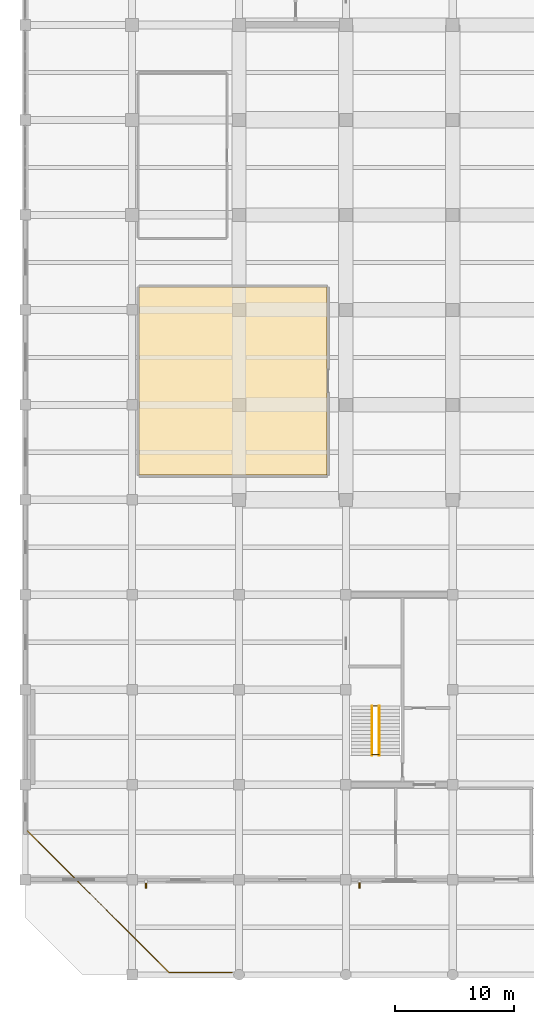
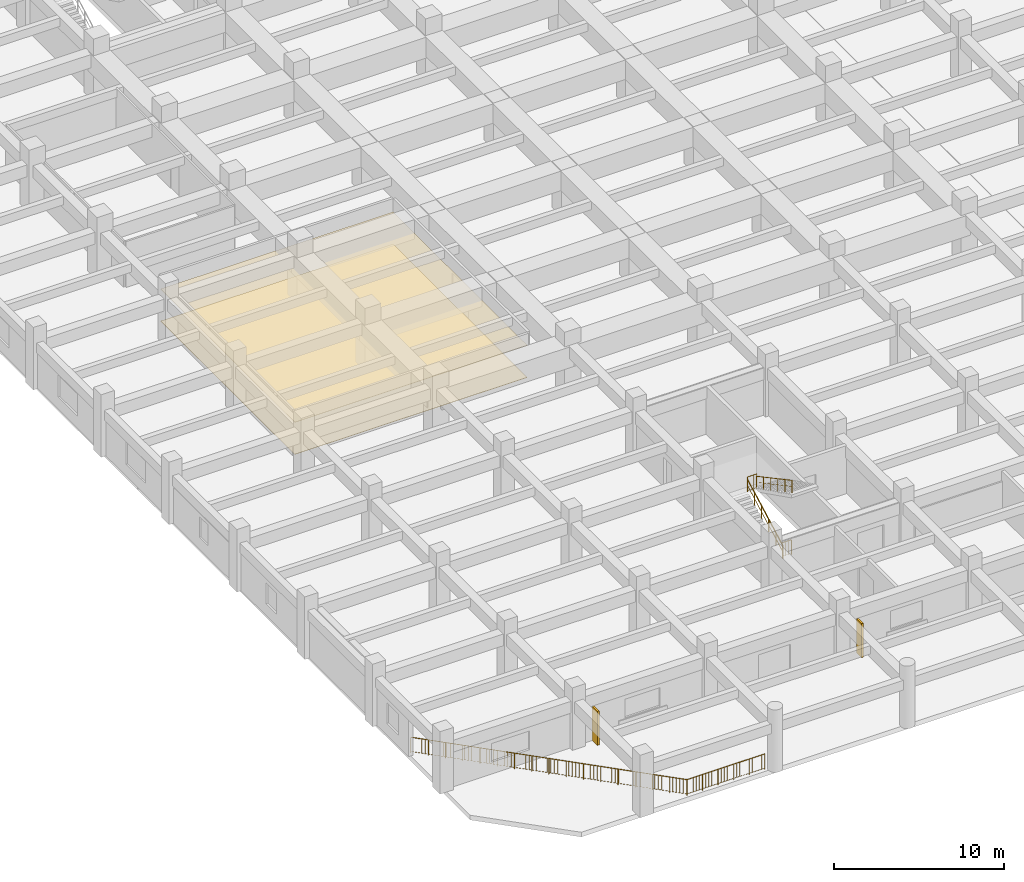
# One storey, part 34 of 40: 5 railings, 2 coverings, 2 shading devices.
"""IFC4 building model written with IfcOpenShell, lengths in metres."""

import ifcopenshell
import ifcopenshell.guid

model = None  # the IFC model being written
_history = None  # IfcOwnerHistory: only IFC2X3 demands one
_inside = {}  # id of a spatial element -> (the spatial element, [elements in it])
_under = {}  # id of a project, library or spatial element -> (it, [spatial elements below it])
_declared = {}  # id of a project -> (the project, [libraries it declares])
_typed = {}  # id of a type object -> (the type object, [elements of that type])
_made_of = {}  # id of a material, layer set ... -> (it, [elements and type objects made of it])


def new_model(schema):
    """Start an empty IFC model of exactly this schema.

    Asked for "IFC4X3", IfcOpenShell would pick the latest addendum, in which some entities
    have other attributes; the version numbers below select the first issue.
    IFC2X3 requires an IfcOwnerHistory on every rooted entity: one is made here for all.
    """
    global model, _history
    if schema == "IFC4X3":
        model = ifcopenshell.file(schema_version=(4, 3, 0, 0))
    else:
        model = ifcopenshell.file(schema=schema)
    _inside.clear()
    _under.clear()
    _declared.clear()
    _typed.clear()
    _made_of.clear()
    _history = None
    if model.schema == "IFC2X3":
        org = make("IfcOrganization", Name="unknown")
        user = make(
            "IfcPersonAndOrganization",
            ThePerson=make("IfcPerson", FamilyName="unknown"),
            TheOrganization=org,
        )
        app = make(
            "IfcApplication",
            ApplicationDeveloper=org,
            Version="unknown",
            ApplicationFullName="unknown",
            ApplicationIdentifier="unknown",
        )
        _history = make(
            "IfcOwnerHistory",
            OwningUser=user,
            OwningApplication=app,
            ChangeAction="ADDED",
            CreationDate=0,
        )
    return model


def make(cls, **values):
    """One entity of the class cls with the attributes given. An attribute that is None is left unset."""
    return model.create_entity(
        cls, **{name: value for name, value in values.items() if value is not None}
    )


def rooted(cls, **values):
    """An entity with a GlobalId (a new one), such as an element, a storey or a relation."""
    return make(cls, GlobalId=ifcopenshell.guid.new(), OwnerHistory=_history, **values)


def si_unit(unit_type, name, prefix=None):
    """IfcSIUnit, for example si_unit("LENGTHUNIT", "METRE", prefix="MILLI")."""
    return make("IfcSIUnit", UnitType=unit_type, Prefix=prefix, Name=name)


def assignment(units):
    """IfcUnitAssignment: the units of a project."""
    return None if units is None else make("IfcUnitAssignment", Units=units)


def point(xyz):
    """IfcCartesianPoint."""
    return None if xyz is None else make("IfcCartesianPoint", Coordinates=xyz)


def direction(xyz):
    """IfcDirection."""
    return None if xyz is None else make("IfcDirection", DirectionRatios=xyz)


def frame(location, z_axis=None, x_axis=None):
    """IfcAxis2Placement3D, a coordinate frame: its origin and axes. An axis left out is left unset."""
    return make(
        "IfcAxis2Placement3D",
        Location=point(location),
        Axis=direction(z_axis),
        RefDirection=direction(x_axis),
    )


def frame_2d(location, x_axis=None):
    """IfcAxis2Placement2D, a coordinate frame in the plane: its origin and x axis."""
    return make(
        "IfcAxis2Placement2D", Location=point(location), RefDirection=direction(x_axis)
    )


def origin():
    """The frame at (0, 0, 0) with its axes left unset."""
    return frame((0.0, 0.0, 0.0))


def origin_2d():
    """The frame at (0, 0) in the plane with its x axis left unset."""
    return frame_2d((0.0, 0.0))


def place(relative_to, where):
    """IfcLocalPlacement: puts the frame where relative to a parent placement (None: the world)."""
    return make(
        "IfcLocalPlacement", PlacementRelTo=relative_to, RelativePlacement=where
    )


def context(
    kind, dimensions, precision=None, world=None, true_north=None, identifier=None
):
    """IfcGeometricRepresentationContext, for example the 3D "Model" context."""
    return make(
        "IfcGeometricRepresentationContext",
        ContextIdentifier=identifier,
        ContextType=kind,
        CoordinateSpaceDimension=dimensions,
        Precision=precision,
        WorldCoordinateSystem=world,
        TrueNorth=true_north,
    )


def subcontext(parent, identifier, kind, view, scale=None):
    """IfcGeometricRepresentationSubContext, for example "Body" below "Model"."""
    return make(
        "IfcGeometricRepresentationSubContext",
        ContextIdentifier=identifier,
        ContextType=kind,
        ParentContext=parent,
        TargetScale=scale,
        TargetView=view,
    )


def project(units=None, contexts=None):
    """IfcProject with its units and contexts."""
    return rooted(
        "IfcProject",
        Name="project",
        RepresentationContexts=contexts,
        UnitsInContext=assignment(units),
    )


def spatial(cls, under=None, at=None, **own):
    """A site, building, storey or space (cls), placed at a placement, below another one or the project."""
    s = rooted(cls, ObjectPlacement=at, **own)
    if under is not None:
        _under.setdefault(under.id(), (under, []))[1].append(s)
    return s


def polyline(points):
    """IfcPolyline through the points."""
    return make("IfcPolyline", Points=[point(p) for p in points])


def profile(cls, at=None, kind="AREA", **sizes):
    """A parametric profile (cls). Its sizes go by their IFC names, for example OverallWidth=200.0."""
    return make(cls, ProfileType=kind, Position=at, **sizes)


def rectangle(**sizes):
    """IfcRectangleProfileDef."""
    return profile("IfcRectangleProfileDef", **sizes)


def circle(**sizes):
    """IfcCircleProfileDef."""
    return profile("IfcCircleProfileDef", **sizes)


def outline(outer, holes=None, kind="AREA"):
    """IfcArbitraryClosedProfileDef: a profile drawn as a closed curve; with holes, ...WithVoids."""
    if holes is None:
        return make("IfcArbitraryClosedProfileDef", ProfileType=kind, OuterCurve=outer)
    return make(
        "IfcArbitraryProfileDefWithVoids",
        ProfileType=kind,
        OuterCurve=outer,
        InnerCurves=holes,
    )


def extrude(swept, where, along, depth):
    """IfcExtrudedAreaSolid: the profile swept, set in the frame where, extruded along a direction by depth."""
    return make(
        "IfcExtrudedAreaSolid",
        SweptArea=swept,
        Position=where,
        ExtrudedDirection=direction(along),
        Depth=depth,
    )


def shape(context_of_items, identifier, shape_type, items):
    """IfcShapeRepresentation: the items that make up one representation, for example the "Body"."""
    return make(
        "IfcShapeRepresentation",
        ContextOfItems=context_of_items,
        RepresentationIdentifier=identifier,
        RepresentationType=shape_type,
        Items=items,
    )


def material(Name=None, Category=None):
    """IfcMaterial."""
    return make("IfcMaterial", Name=Name, Category=Category)


def layer(
    of_material, thickness, ventilated=None, Name=None, Category=None, Priority=None
):
    """IfcMaterialLayer: one layer of a wall or slab, of a material (None: an air gap)."""
    return make(
        "IfcMaterialLayer",
        Material=of_material,
        LayerThickness=thickness,
        IsVentilated=ventilated,
        Name=Name,
        Category=Category,
        Priority=Priority,
    )


def layer_set(layers, Name=None):
    """IfcMaterialLayerSet."""
    return make("IfcMaterialLayerSet", MaterialLayers=layers, LayerSetName=Name)


def made_of(thing, what):
    """Note that an element or type object is made of a material, layer set ...; save() writes the relation."""
    if what is not None:
        _made_of.setdefault(what.id(), (what, []))[1].append(thing)
    return thing


def type_object(cls, material=None, **own):
    """A type object (cls), such as IfcWallType, which elements share."""
    return made_of(rooted(cls, **own), material)


def element(
    cls,
    number,
    at=None,
    inside=None,
    cuts=None,
    type_object=None,
    material=None,
    context=None,
    identifier="Body",
    shape_type=None,
    held_by="IfcProductDefinitionShape",
    body=None,
    shapes=None,
    **own,
):
    """One element of the class cls, such as IfcWall. Its Tag is "e" and its number.

    at: its placement. inside: the storey or other place that contains it. cuts: it is an
    opening in that element (IfcRelVoidsElement). A single representation is given by context,
    identifier, shape_type and body (its items); several are given by shapes. held_by: the class
    of the entity that holds the representations. save() writes the other relations.
    """
    e = rooted(cls, Tag="e%d" % number, ObjectPlacement=at, **own)
    if body is not None:
        shapes = [shape(context, identifier, shape_type, body)]
    if shapes is not None:
        e.Representation = make(held_by, Representations=shapes)
    if inside is not None:
        _inside.setdefault(inside.id(), (inside, []))[1].append(e)
    if cuts is not None:
        rooted(
            "IfcRelVoidsElement", RelatingBuildingElement=cuts, RelatedOpeningElement=e
        )
    if type_object is not None:
        _typed.setdefault(type_object.id(), (type_object, []))[1].append(e)
    return made_of(e, material)


def aggregate(whole, parts):
    """IfcRelAggregates: a whole, such as a stair, and the parts it consists of."""
    return rooted("IfcRelAggregates", RelatingObject=whole, RelatedObjects=parts)


def save(model, path):
    """Write the relations noted so far, then the file.

    IfcRelAggregates (storeys below a building ...), IfcRelContainedInSpatialStructure (elements
    in a storey), IfcRelDefinesByType, IfcRelAssociatesMaterial and IfcRelDeclares: one each for
    every whole, place, type object, material and project.
    """
    for whole, parts in _under.values():
        aggregate(whole, parts)
    for where, things in _inside.values():
        rooted(
            "IfcRelContainedInSpatialStructure",
            RelatedElements=things,
            RelatingStructure=where,
        )
    for kind, things in _typed.values():
        rooted("IfcRelDefinesByType", RelatedObjects=things, RelatingType=kind)
    for what, things in _made_of.values():
        rooted("IfcRelAssociatesMaterial", RelatedObjects=things, RelatingMaterial=what)
    for by, libraries in _declared.values():
        rooted("IfcRelDeclares", RelatingContext=by, RelatedDefinitions=libraries)
    model.write(path)


model = new_model("IFC4")

# Units and contexts
model_context = context("Model", 3, precision=1e-05, world=origin(), true_north=direction((0.0, 1.0)))
body_context = subcontext(model_context, "Body", "Model", "MODEL_VIEW")
ifc_project = project(units=[si_unit("LENGTHUNIT", "METRE"), si_unit("AREAUNIT", "SQUARE_METRE"), si_unit("VOLUMEUNIT", "CUBIC_METRE"), si_unit("PLANEANGLEUNIT", "RADIAN"), si_unit("MASSUNIT", "GRAM", prefix="KILO")], contexts=[model_context])

# Site, building, storey
site_placement = place(None, origin())
site = spatial("IfcSite", under=ifc_project, at=site_placement, CompositionType="ELEMENT")
building_placement = place(site_placement, origin())
building = spatial("IfcBuilding", under=site, at=building_placement, Name="Zaverband Oceanarium and Marine Research Institute", CompositionType="ELEMENT")
storey_placement = place(building_placement, origin())
storey = spatial("IfcBuildingStorey", under=building, at=storey_placement, Name="L00", CompositionType="ELEMENT", Elevation=0.0)

# Coverings
ifc_material_1 = material(Name="Perforated mineral-fibre acoustic ceiling tile")
ifc_layer_1 = layer(ifc_material_1, 0.02490234375, Name="Perforated mineral-fibre acoustic ceiling tile")
ifc_layer_set_1 = layer_set([ifc_layer_1], Name="Perforated mineral-fibre acoustic ceiling tile")
covering_type_1 = type_object("IfcCoveringType", Name="CLG-AC-15", PredefinedType="CEILING", material=ifc_layer_set_1)
covering_1_placement = place(storey_placement, frame((0.0, 0.0, 2.31005859375)))
element("IfcCovering", 1, at=covering_1_placement, inside=storey, type_object=covering_type_1, Name="Suspended acoustic ceiling CLG-AC-15", PredefinedType="CEILING", context=body_context, shape_type="SweptSolid", body=[
    extrude(outline(polyline([(9.58251953125, 42.08251953125), (25.41748046875, 42.08251953125), (25.41748046875, 57.91748046875), (9.58251953125, 57.91748046875), (9.58251953125, 42.08251953125)])), origin(), (0.0, 0.0, 1.0), 0.02490234375),
])
ifc_material_2 = material(Name="Polished marine terrazzo and seamless laboratory epoxy flooring")
ifc_layer_2 = layer(ifc_material_2, 0.02490234375, Name="Polished marine terrazzo and seamless laboratory epoxy flooring")
ifc_layer_set_2 = layer_set([ifc_layer_2], Name="Polished marine terrazzo and seamless laboratory epoxy flooring")
covering_type_2 = type_object("IfcCoveringType", Name="FLR-TRZ-20", PredefinedType="FLOORING", material=ifc_layer_set_2)
covering_2_placement = place(storey_placement, origin())
element("IfcCovering", 2, at=covering_2_placement, inside=storey, type_object=covering_type_2, Name="Terrazzo and marine epoxy floor finish FLR-TRZ-20", PredefinedType="FLOORING", context=body_context, shape_type="SweptSolid", body=[
    extrude(outline(polyline([(9.58251953125, 42.08251953125), (25.41748046875, 42.08251953125), (25.41748046875, 57.91748046875), (9.58251953125, 57.91748046875), (9.58251953125, 42.08251953125)])), origin(), (0.0, 0.0, 1.0), 0.02490234375),
])

# Railings
ifc_material_3 = material(Name="Steel S355", Category="steel")
ifc_layer_3 = layer(ifc_material_3, 0.06005859375, Name="Steel S355")
ifc_layer_set_3 = layer_set([ifc_layer_3], Name="Steel S355")
railing_type_1 = type_object("IfcRailingType", Name="GRD-1100", PredefinedType="BALUSTRADE", material=ifc_layer_set_3)
for number, where, name in (
    (3, (29.18994140625, 22.6298828125, 2.25), "1100 mm steel post-and-baluster safety guard GRD-1100"),
    (4, (29.18994140625, 18.530029296875, 0.0), "1100 mm steel post-and-baluster safety guard GRD-1100"),
):
    element("IfcRailing", number, at=place(storey_placement, frame(where)), inside=storey, type_object=railing_type_1, Name=name, PredefinedType="BALUSTRADE", context=body_context, shape_type="SweptSolid", body=[
        extrude(circle(Radius=0.02392578125, at=origin_2d()), frame((0.0, 0.0, 1.076171875), z_axis=(1.0, 0.0, 0.0), x_axis=(0.0, 1.0, 0.0)), (0.0, 0.0, 1.0), 0.6201171875),
        extrude(circle(Radius=0.009033203125, at=origin_2d()), frame((0.0, 0.0, 0.10009765625), z_axis=(1.0, 0.0, 0.0), x_axis=(0.0, 1.0, 0.0)), (0.0, 0.0, 1.0), 0.6201171875),
        extrude(circle(Radius=0.009033203125, at=origin_2d()), frame((0.206787109375, 0.0, 0.10009765625)), (0.0, 0.0, 1.0), 0.951904296875),
        extrude(circle(Radius=0.009033203125, at=origin_2d()), frame((0.413330078125, 0.0, 0.10009765625)), (0.0, 0.0, 1.0), 0.951904296875),
        extrude(circle(Radius=0.02099609375, at=origin_2d()), origin(), (0.0, 0.0, 1.0), 1.052001953125),
        extrude(circle(Radius=0.02099609375, at=origin_2d()), frame((0.6201171875, 0.0, 0.0)), (0.0, 0.0, 1.0), 1.052001953125),
    ])
ifc_layer_4 = layer(ifc_material_3, 0.06005859375, Name="Steel S355")
ifc_layer_set_4 = layer_set([ifc_layer_4], Name="Steel S355")
railing_type_2 = type_object("IfcRailingType", Name="GRD-EXT-1150", PredefinedType="BALUSTRADE", material=ifc_layer_set_4)
railing_1_placement = place(storey_placement, frame((0.179931640625, 12.10009765625, 0.0)))
element("IfcRailing", 5, at=railing_1_placement, inside=storey, type_object=railing_type_2, Name="1150 mm marine-grade stainless steel terrace guard GRD-EXT-1150", PredefinedType="BALUSTRADE", context=body_context, shape_type="SweptSolid", body=[
    extrude(circle(Radius=0.02392578125, at=origin_2d()), frame((0.0, 0.0, 1.1259765625), z_axis=(0.707106781187, -0.707106781187, 0.0), x_axis=(0.707106781187, 0.707106781187, 0.0)), (0.0, 0.0, 1.0), 16.857666015625),
    extrude(circle(Radius=0.009033203125, at=origin_2d()), frame((0.0, 0.0, 0.10009765625), z_axis=(0.707106781187, -0.707106781187, 0.0), x_axis=(0.707106781187, 0.707106781187, 0.0)), (0.0, 0.0, 1.0), 16.857666015625),
    extrude(circle(Radius=0.009033203125, at=origin_2d()), frame((0.15478515625, -0.15478515625, 0.10009765625)), (0.0, 0.0, 1.0), 1.001708984375),
    extrude(circle(Radius=0.009033203125, at=origin_2d()), frame((0.3095703125, -0.3095703125, 0.10009765625)), (0.0, 0.0, 1.0), 1.001708984375),
    extrude(circle(Radius=0.009033203125, at=origin_2d()), frame((0.46435546875, -0.46435546875, 0.10009765625)), (0.0, 0.0, 1.0), 1.001708984375),
    extrude(circle(Radius=0.009033203125, at=origin_2d()), frame((0.619140625, -0.619140625, 0.10009765625)), (0.0, 0.0, 1.0), 1.001708984375),
    extrude(circle(Radius=0.009033203125, at=origin_2d()), frame((0.77392578125, -0.77392578125, 0.10009765625)), (0.0, 0.0, 1.0), 1.001708984375),
    extrude(circle(Radius=0.009033203125, at=origin_2d()), frame((0.928955078125, -0.928955078125, 0.10009765625)), (0.0, 0.0, 1.0), 1.001708984375),
    extrude(circle(Radius=0.009033203125, at=origin_2d()), frame((1.083740234375, -1.083740234375, 0.10009765625)), (0.0, 0.0, 1.0), 1.001708984375),
    extrude(circle(Radius=0.009033203125, at=origin_2d()), frame((1.238525390625, -1.238525390625, 0.10009765625)), (0.0, 0.0, 1.0), 1.001708984375),
    extrude(circle(Radius=0.009033203125, at=origin_2d()), frame((1.393310546875, -1.393310546875, 0.10009765625)), (0.0, 0.0, 1.0), 1.001708984375),
    extrude(circle(Radius=0.009033203125, at=origin_2d()), frame((1.548095703125, -1.548095703125, 0.10009765625)), (0.0, 0.0, 1.0), 1.001708984375),
    extrude(circle(Radius=0.009033203125, at=origin_2d()), frame((1.702880859375, -1.702880859375, 0.10009765625)), (0.0, 0.0, 1.0), 1.001708984375),
    extrude(circle(Radius=0.009033203125, at=origin_2d()), frame((1.857666015625, -1.857666015625, 0.10009765625)), (0.0, 0.0, 1.0), 1.001708984375),
    extrude(circle(Radius=0.009033203125, at=origin_2d()), frame((2.012451171875, -2.012451171875, 0.10009765625)), (0.0, 0.0, 1.0), 1.001708984375),
    extrude(circle(Radius=0.009033203125, at=origin_2d()), frame((2.167236328125, -2.167236328125, 0.10009765625)), (0.0, 0.0, 1.0), 1.001708984375),
    extrude(circle(Radius=0.009033203125, at=origin_2d()), frame((2.322021484375, -2.322021484375, 0.10009765625)), (0.0, 0.0, 1.0), 1.001708984375),
    extrude(circle(Radius=0.009033203125, at=origin_2d()), frame((2.476806640625, -2.476806640625, 0.10009765625)), (0.0, 0.0, 1.0), 1.001708984375),
    extrude(circle(Radius=0.009033203125, at=origin_2d()), frame((2.6318359375, -2.6318359375, 0.10009765625)), (0.0, 0.0, 1.0), 1.001708984375),
    extrude(circle(Radius=0.009033203125, at=origin_2d()), frame((2.78662109375, -2.78662109375, 0.10009765625)), (0.0, 0.0, 1.0), 1.001708984375),
    extrude(circle(Radius=0.009033203125, at=origin_2d()), frame((2.94140625, -2.94140625, 0.10009765625)), (0.0, 0.0, 1.0), 1.001708984375),
    extrude(circle(Radius=0.009033203125, at=origin_2d()), frame((3.09619140625, -3.09619140625, 0.10009765625)), (0.0, 0.0, 1.0), 1.001708984375),
    extrude(circle(Radius=0.009033203125, at=origin_2d()), frame((3.2509765625, -3.2509765625, 0.10009765625)), (0.0, 0.0, 1.0), 1.001708984375),
    extrude(circle(Radius=0.009033203125, at=origin_2d()), frame((3.40576171875, -3.40576171875, 0.10009765625)), (0.0, 0.0, 1.0), 1.001708984375),
    extrude(circle(Radius=0.009033203125, at=origin_2d()), frame((3.560546875, -3.560546875, 0.10009765625)), (0.0, 0.0, 1.0), 1.001708984375),
    extrude(circle(Radius=0.009033203125, at=origin_2d()), frame((3.71533203125, -3.71533203125, 0.10009765625)), (0.0, 0.0, 1.0), 1.001708984375),
    extrude(circle(Radius=0.009033203125, at=origin_2d()), frame((3.8701171875, -3.8701171875, 0.10009765625)), (0.0, 0.0, 1.0), 1.001708984375),
    extrude(circle(Radius=0.009033203125, at=origin_2d()), frame((4.02490234375, -4.02490234375, 0.10009765625)), (0.0, 0.0, 1.0), 1.001708984375),
    extrude(circle(Radius=0.009033203125, at=origin_2d()), frame((4.1796875, -4.1796875, 0.10009765625)), (0.0, 0.0, 1.0), 1.001708984375),
    extrude(circle(Radius=0.009033203125, at=origin_2d()), frame((4.334716796875, -4.334716796875, 0.10009765625)), (0.0, 0.0, 1.0), 1.001708984375),
    extrude(circle(Radius=0.009033203125, at=origin_2d()), frame((4.489501953125, -4.489501953125, 0.10009765625)), (0.0, 0.0, 1.0), 1.001708984375),
    extrude(circle(Radius=0.009033203125, at=origin_2d()), frame((4.644287109375, -4.644287109375, 0.10009765625)), (0.0, 0.0, 1.0), 1.001708984375),
    extrude(circle(Radius=0.009033203125, at=origin_2d()), frame((4.799072265625, -4.799072265625, 0.10009765625)), (0.0, 0.0, 1.0), 1.001708984375),
    extrude(circle(Radius=0.009033203125, at=origin_2d()), frame((4.953857421875, -4.953857421875, 0.10009765625)), (0.0, 0.0, 1.0), 1.001708984375),
    extrude(circle(Radius=0.009033203125, at=origin_2d()), frame((5.108642578125, -5.108642578125, 0.10009765625)), (0.0, 0.0, 1.0), 1.001708984375),
    extrude(circle(Radius=0.009033203125, at=origin_2d()), frame((5.263427734375, -5.263427734375, 0.10009765625)), (0.0, 0.0, 1.0), 1.001708984375),
    extrude(circle(Radius=0.009033203125, at=origin_2d()), frame((5.418212890625, -5.418212890625, 0.10009765625)), (0.0, 0.0, 1.0), 1.001708984375),
    extrude(circle(Radius=0.009033203125, at=origin_2d()), frame((5.572998046875, -5.572998046875, 0.10009765625)), (0.0, 0.0, 1.0), 1.001708984375),
    extrude(circle(Radius=0.009033203125, at=origin_2d()), frame((5.727783203125, -5.727783203125, 0.10009765625)), (0.0, 0.0, 1.0), 1.001708984375),
    extrude(circle(Radius=0.009033203125, at=origin_2d()), frame((5.882568359375, -5.882568359375, 0.10009765625)), (0.0, 0.0, 1.0), 1.001708984375),
    extrude(circle(Radius=0.009033203125, at=origin_2d()), frame((6.03759765625, -6.03759765625, 0.10009765625)), (0.0, 0.0, 1.0), 1.001708984375),
    extrude(circle(Radius=0.009033203125, at=origin_2d()), frame((6.1923828125, -6.1923828125, 0.10009765625)), (0.0, 0.0, 1.0), 1.001708984375),
    extrude(circle(Radius=0.009033203125, at=origin_2d()), frame((6.34716796875, -6.34716796875, 0.10009765625)), (0.0, 0.0, 1.0), 1.001708984375),
    extrude(circle(Radius=0.009033203125, at=origin_2d()), frame((6.501953125, -6.501953125, 0.10009765625)), (0.0, 0.0, 1.0), 1.001708984375),
    extrude(circle(Radius=0.009033203125, at=origin_2d()), frame((6.65673828125, -6.65673828125, 0.10009765625)), (0.0, 0.0, 1.0), 1.001708984375),
    extrude(circle(Radius=0.009033203125, at=origin_2d()), frame((6.8115234375, -6.8115234375, 0.10009765625)), (0.0, 0.0, 1.0), 1.001708984375),
    extrude(circle(Radius=0.009033203125, at=origin_2d()), frame((6.96630859375, -6.96630859375, 0.10009765625)), (0.0, 0.0, 1.0), 1.001708984375),
    extrude(circle(Radius=0.009033203125, at=origin_2d()), frame((7.12109375, -7.12109375, 0.10009765625)), (0.0, 0.0, 1.0), 1.001708984375),
    extrude(circle(Radius=0.009033203125, at=origin_2d()), frame((7.27587890625, -7.27587890625, 0.10009765625)), (0.0, 0.0, 1.0), 1.001708984375),
    extrude(circle(Radius=0.009033203125, at=origin_2d()), frame((7.4306640625, -7.4306640625, 0.10009765625)), (0.0, 0.0, 1.0), 1.001708984375),
    extrude(circle(Radius=0.009033203125, at=origin_2d()), frame((7.58544921875, -7.58544921875, 0.10009765625)), (0.0, 0.0, 1.0), 1.001708984375),
    extrude(circle(Radius=0.009033203125, at=origin_2d()), frame((7.740478515625, -7.740478515625, 0.10009765625)), (0.0, 0.0, 1.0), 1.001708984375),
    extrude(circle(Radius=0.009033203125, at=origin_2d()), frame((7.895263671875, -7.895263671875, 0.10009765625)), (0.0, 0.0, 1.0), 1.001708984375),
    extrude(circle(Radius=0.009033203125, at=origin_2d()), frame((8.050048828125, -8.050048828125, 0.10009765625)), (0.0, 0.0, 1.0), 1.001708984375),
    extrude(circle(Radius=0.009033203125, at=origin_2d()), frame((8.204833984375, -8.204833984375, 0.10009765625)), (0.0, 0.0, 1.0), 1.001708984375),
    extrude(circle(Radius=0.009033203125, at=origin_2d()), frame((8.359619140625, -8.359619140625, 0.10009765625)), (0.0, 0.0, 1.0), 1.001708984375),
    extrude(circle(Radius=0.009033203125, at=origin_2d()), frame((8.514404296875, -8.514404296875, 0.10009765625)), (0.0, 0.0, 1.0), 1.001708984375),
    extrude(circle(Radius=0.009033203125, at=origin_2d()), frame((8.669189453125, -8.669189453125, 0.10009765625)), (0.0, 0.0, 1.0), 1.001708984375),
    extrude(circle(Radius=0.009033203125, at=origin_2d()), frame((8.823974609375, -8.823974609375, 0.10009765625)), (0.0, 0.0, 1.0), 1.001708984375),
    extrude(circle(Radius=0.009033203125, at=origin_2d()), frame((8.978759765625, -8.978759765625, 0.10009765625)), (0.0, 0.0, 1.0), 1.001708984375),
    extrude(circle(Radius=0.009033203125, at=origin_2d()), frame((9.133544921875, -9.133544921875, 0.10009765625)), (0.0, 0.0, 1.0), 1.001708984375),
    extrude(circle(Radius=0.009033203125, at=origin_2d()), frame((9.288330078125, -9.288330078125, 0.10009765625)), (0.0, 0.0, 1.0), 1.001708984375),
    extrude(circle(Radius=0.009033203125, at=origin_2d()), frame((9.443359375, -9.443359375, 0.10009765625)), (0.0, 0.0, 1.0), 1.001708984375),
    extrude(circle(Radius=0.009033203125, at=origin_2d()), frame((9.59814453125, -9.59814453125, 0.10009765625)), (0.0, 0.0, 1.0), 1.001708984375),
    extrude(circle(Radius=0.009033203125, at=origin_2d()), frame((9.7529296875, -9.7529296875, 0.10009765625)), (0.0, 0.0, 1.0), 1.001708984375),
    extrude(circle(Radius=0.009033203125, at=origin_2d()), frame((9.90771484375, -9.90771484375, 0.10009765625)), (0.0, 0.0, 1.0), 1.001708984375),
    extrude(circle(Radius=0.009033203125, at=origin_2d()), frame((10.0625, -10.0625, 0.10009765625)), (0.0, 0.0, 1.0), 1.001708984375),
    extrude(circle(Radius=0.009033203125, at=origin_2d()), frame((10.21728515625, -10.21728515625, 0.10009765625)), (0.0, 0.0, 1.0), 1.001708984375),
    extrude(circle(Radius=0.009033203125, at=origin_2d()), frame((10.3720703125, -10.3720703125, 0.10009765625)), (0.0, 0.0, 1.0), 1.001708984375),
    extrude(circle(Radius=0.009033203125, at=origin_2d()), frame((10.52685546875, -10.52685546875, 0.10009765625)), (0.0, 0.0, 1.0), 1.001708984375),
    extrude(circle(Radius=0.009033203125, at=origin_2d()), frame((10.681640625, -10.681640625, 0.10009765625)), (0.0, 0.0, 1.0), 1.001708984375),
    extrude(circle(Radius=0.009033203125, at=origin_2d()), frame((10.83642578125, -10.83642578125, 0.10009765625)), (0.0, 0.0, 1.0), 1.001708984375),
    extrude(circle(Radius=0.009033203125, at=origin_2d()), frame((10.9912109375, -10.9912109375, 0.10009765625)), (0.0, 0.0, 1.0), 1.001708984375),
    extrude(circle(Radius=0.009033203125, at=origin_2d()), frame((11.146240234375, -11.146240234375, 0.10009765625)), (0.0, 0.0, 1.0), 1.001708984375),
    extrude(circle(Radius=0.009033203125, at=origin_2d()), frame((11.301025390625, -11.301025390625, 0.10009765625)), (0.0, 0.0, 1.0), 1.001708984375),
    extrude(circle(Radius=0.009033203125, at=origin_2d()), frame((11.455810546875, -11.455810546875, 0.10009765625)), (0.0, 0.0, 1.0), 1.001708984375),
    extrude(circle(Radius=0.009033203125, at=origin_2d()), frame((11.610595703125, -11.610595703125, 0.10009765625)), (0.0, 0.0, 1.0), 1.001708984375),
    extrude(circle(Radius=0.009033203125, at=origin_2d()), frame((11.765380859375, -11.765380859375, 0.10009765625)), (0.0, 0.0, 1.0), 1.001708984375),
    extrude(circle(Radius=0.02392578125, at=origin_2d()), frame((11.920166015625, -11.920166015625, 1.1259765625), z_axis=(1.0, 0.0, 0.0), x_axis=(0.0, 1.0, 0.0)), (0.0, 0.0, 1.0), 5.2998046875),
    extrude(circle(Radius=0.009033203125, at=origin_2d()), frame((11.920166015625, -11.920166015625, 0.10009765625), z_axis=(1.0, 0.0, 0.0), x_axis=(0.0, 1.0, 0.0)), (0.0, 0.0, 1.0), 5.2998046875),
    extrude(circle(Radius=0.009033203125, at=origin_2d()), frame((12.132080078125, -11.920166015625, 0.10009765625)), (0.0, 0.0, 1.0), 1.001708984375),
    extrude(circle(Radius=0.009033203125, at=origin_2d()), frame((12.34423828125, -11.920166015625, 0.10009765625)), (0.0, 0.0, 1.0), 1.001708984375),
    extrude(circle(Radius=0.009033203125, at=origin_2d()), frame((12.55615234375, -11.920166015625, 0.10009765625)), (0.0, 0.0, 1.0), 1.001708984375),
    extrude(circle(Radius=0.009033203125, at=origin_2d()), frame((12.76806640625, -11.920166015625, 0.10009765625)), (0.0, 0.0, 1.0), 1.001708984375),
    extrude(circle(Radius=0.009033203125, at=origin_2d()), frame((12.980224609375, -11.920166015625, 0.10009765625)), (0.0, 0.0, 1.0), 1.001708984375),
    extrude(circle(Radius=0.009033203125, at=origin_2d()), frame((13.192138671875, -11.920166015625, 0.10009765625)), (0.0, 0.0, 1.0), 1.001708984375),
    extrude(circle(Radius=0.009033203125, at=origin_2d()), frame((13.404052734375, -11.920166015625, 0.10009765625)), (0.0, 0.0, 1.0), 1.001708984375),
    extrude(circle(Radius=0.009033203125, at=origin_2d()), frame((13.6162109375, -11.920166015625, 0.10009765625)), (0.0, 0.0, 1.0), 1.001708984375),
    extrude(circle(Radius=0.009033203125, at=origin_2d()), frame((13.828125, -11.920166015625, 0.10009765625)), (0.0, 0.0, 1.0), 1.001708984375),
    extrude(circle(Radius=0.009033203125, at=origin_2d()), frame((14.0400390625, -11.920166015625, 0.10009765625)), (0.0, 0.0, 1.0), 1.001708984375),
    extrude(circle(Radius=0.009033203125, at=origin_2d()), frame((14.252197265625, -11.920166015625, 0.10009765625)), (0.0, 0.0, 1.0), 1.001708984375),
    extrude(circle(Radius=0.009033203125, at=origin_2d()), frame((14.464111328125, -11.920166015625, 0.10009765625)), (0.0, 0.0, 1.0), 1.001708984375),
    extrude(circle(Radius=0.009033203125, at=origin_2d()), frame((14.676025390625, -11.920166015625, 0.10009765625)), (0.0, 0.0, 1.0), 1.001708984375),
    extrude(circle(Radius=0.009033203125, at=origin_2d()), frame((14.887939453125, -11.920166015625, 0.10009765625)), (0.0, 0.0, 1.0), 1.001708984375),
    extrude(circle(Radius=0.009033203125, at=origin_2d()), frame((15.10009765625, -11.920166015625, 0.10009765625)), (0.0, 0.0, 1.0), 1.001708984375),
    extrude(circle(Radius=0.009033203125, at=origin_2d()), frame((15.31201171875, -11.920166015625, 0.10009765625)), (0.0, 0.0, 1.0), 1.001708984375),
    extrude(circle(Radius=0.009033203125, at=origin_2d()), frame((15.52392578125, -11.920166015625, 0.10009765625)), (0.0, 0.0, 1.0), 1.001708984375),
    extrude(circle(Radius=0.009033203125, at=origin_2d()), frame((15.736083984375, -11.920166015625, 0.10009765625)), (0.0, 0.0, 1.0), 1.001708984375),
    extrude(circle(Radius=0.009033203125, at=origin_2d()), frame((15.947998046875, -11.920166015625, 0.10009765625)), (0.0, 0.0, 1.0), 1.001708984375),
    extrude(circle(Radius=0.009033203125, at=origin_2d()), frame((16.159912109375, -11.920166015625, 0.10009765625)), (0.0, 0.0, 1.0), 1.001708984375),
    extrude(circle(Radius=0.009033203125, at=origin_2d()), frame((16.3720703125, -11.920166015625, 0.10009765625)), (0.0, 0.0, 1.0), 1.001708984375),
    extrude(circle(Radius=0.009033203125, at=origin_2d()), frame((16.583984375, -11.920166015625, 0.10009765625)), (0.0, 0.0, 1.0), 1.001708984375),
    extrude(circle(Radius=0.009033203125, at=origin_2d()), frame((16.7958984375, -11.920166015625, 0.10009765625)), (0.0, 0.0, 1.0), 1.001708984375),
    extrude(circle(Radius=0.009033203125, at=origin_2d()), frame((17.008056640625, -11.920166015625, 0.10009765625)), (0.0, 0.0, 1.0), 1.001708984375),
    extrude(circle(Radius=0.02099609375, at=origin_2d()), origin(), (0.0, 0.0, 1.0), 1.101806640625),
    extrude(circle(Radius=0.02099609375, at=origin_2d()), frame((0.7451171875, -0.7451171875, 0.0)), (0.0, 0.0, 1.0), 1.101806640625),
    extrude(circle(Radius=0.02099609375, at=origin_2d()), frame((1.489990234375, -1.489990234375, 0.0)), (0.0, 0.0, 1.0), 1.101806640625),
    extrude(circle(Radius=0.02099609375, at=origin_2d()), frame((2.235107421875, -2.235107421875, 0.0)), (0.0, 0.0, 1.0), 1.101806640625),
    extrude(circle(Radius=0.02099609375, at=origin_2d()), frame((2.97998046875, -2.97998046875, 0.0)), (0.0, 0.0, 1.0), 1.101806640625),
    extrude(circle(Radius=0.02099609375, at=origin_2d()), frame((3.72509765625, -3.72509765625, 0.0)), (0.0, 0.0, 1.0), 1.101806640625),
    extrude(circle(Radius=0.02099609375, at=origin_2d()), frame((4.469970703125, -4.469970703125, 0.0)), (0.0, 0.0, 1.0), 1.101806640625),
    extrude(circle(Radius=0.02099609375, at=origin_2d()), frame((5.215087890625, -5.215087890625, 0.0)), (0.0, 0.0, 1.0), 1.101806640625),
    extrude(circle(Radius=0.02099609375, at=origin_2d()), frame((5.9599609375, -5.9599609375, 0.0)), (0.0, 0.0, 1.0), 1.101806640625),
    extrude(circle(Radius=0.02099609375, at=origin_2d()), frame((6.705078125, -6.705078125, 0.0)), (0.0, 0.0, 1.0), 1.101806640625),
    extrude(circle(Radius=0.02099609375, at=origin_2d()), frame((7.4501953125, -7.4501953125, 0.0)), (0.0, 0.0, 1.0), 1.101806640625),
    extrude(circle(Radius=0.02099609375, at=origin_2d()), frame((8.195068359375, -8.195068359375, 0.0)), (0.0, 0.0, 1.0), 1.101806640625),
    extrude(circle(Radius=0.02099609375, at=origin_2d()), frame((8.940185546875, -8.940185546875, 0.0)), (0.0, 0.0, 1.0), 1.101806640625),
    extrude(circle(Radius=0.02099609375, at=origin_2d()), frame((9.68505859375, -9.68505859375, 0.0)), (0.0, 0.0, 1.0), 1.101806640625),
    extrude(circle(Radius=0.02099609375, at=origin_2d()), frame((10.43017578125, -10.43017578125, 0.0)), (0.0, 0.0, 1.0), 1.101806640625),
    extrude(circle(Radius=0.02099609375, at=origin_2d()), frame((11.175048828125, -11.175048828125, 0.0)), (0.0, 0.0, 1.0), 1.101806640625),
    extrude(circle(Radius=0.02099609375, at=origin_2d()), frame((11.920166015625, -11.920166015625, 0.0)), (0.0, 0.0, 1.0), 1.101806640625),
    extrude(circle(Radius=0.02099609375, at=origin_2d()), frame((12.980224609375, -11.920166015625, 0.0)), (0.0, 0.0, 1.0), 1.101806640625),
    extrude(circle(Radius=0.02099609375, at=origin_2d()), frame((14.0400390625, -11.920166015625, 0.0)), (0.0, 0.0, 1.0), 1.101806640625),
    extrude(circle(Radius=0.02099609375, at=origin_2d()), frame((15.10009765625, -11.920166015625, 0.0)), (0.0, 0.0, 1.0), 1.101806640625),
    extrude(circle(Radius=0.02099609375, at=origin_2d()), frame((16.159912109375, -11.920166015625, 0.0)), (0.0, 0.0, 1.0), 1.101806640625),
    extrude(circle(Radius=0.02099609375, at=origin_2d()), frame((17.219970703125, -11.920166015625, 0.0)), (0.0, 0.0, 1.0), 1.101806640625),
])
ifc_layer_5 = layer(ifc_material_3, 0.050048828125, Name="Steel S355")
ifc_layer_set_5 = layer_set([ifc_layer_5], Name="Steel S355")
railing_type_3 = type_object("IfcRailingType", Name="HR-920", PredefinedType="HANDRAIL", material=ifc_layer_set_5)
railing_2_placement = place(storey_placement, frame((29.18994140625, 18.449951171875, 0.0)))
element("IfcRailing", 6, at=railing_2_placement, inside=storey, type_object=railing_type_3, Name="920 mm continuous tubular stair and ramp handrail HR-920", PredefinedType="HANDRAIL", context=body_context, shape_type="SweptSolid", body=[
    extrude(circle(Radius=0.02392578125, at=origin_2d()), frame((0.0, 0.0, 0.89599609375), z_axis=(0.0, 0.881477684796, 0.472225678258), x_axis=(-1.0, 0.0, 0.0)), (0.0, 0.0, 1.0), 4.7646484375),
    extrude(circle(Radius=0.009033203125, at=origin_2d()), frame((0.0, 0.0, 0.4599609375), z_axis=(0.0, 0.881477684796, 0.472225678258), x_axis=(-1.0, 0.0, 0.0)), (0.0, 0.0, 1.0), 4.7646484375),
    extrude(circle(Radius=0.02099609375, at=origin_2d()), origin(), (0.0, 0.0, 1.0), 0.871826171875),
    extrude(circle(Radius=0.02099609375, at=origin_2d()), frame((0.0, 0.840087890625, 0.449951171875)), (0.0, 0.0, 1.0), 0.871826171875),
    extrude(circle(Radius=0.02099609375, at=origin_2d()), frame((0.0, 1.679931640625, 0.89990234375)), (0.0, 0.0, 1.0), 0.871826171875),
    extrude(circle(Radius=0.02099609375, at=origin_2d()), frame((0.0, 2.52001953125, 1.35009765625)), (0.0, 0.0, 1.0), 0.871826171875),
    extrude(circle(Radius=0.02099609375, at=origin_2d()), frame((0.0, 3.35986328125, 1.800048828125)), (0.0, 0.0, 1.0), 0.871826171875),
    extrude(circle(Radius=0.02099609375, at=origin_2d()), frame((0.0, 4.199951171875, 2.25)), (0.0, 0.0, 1.0), 0.871826171875),
])
railing_3_placement = place(storey_placement, frame((29.81005859375, 22.64990234375, 2.25)))
element("IfcRailing", 7, at=railing_3_placement, inside=storey, type_object=railing_type_3, Name="920 mm continuous tubular stair and ramp handrail HR-920", PredefinedType="HANDRAIL", context=body_context, shape_type="SweptSolid", body=[
    extrude(circle(Radius=0.02392578125, at=origin_2d()), frame((0.0, 0.0, 0.89599609375), z_axis=(0.0, -0.881477684796, 0.472225678258), x_axis=(1.0, 0.0, 0.0)), (0.0, 0.0, 1.0), 4.7646484375),
    extrude(circle(Radius=0.009033203125, at=origin_2d()), frame((0.0, 0.0, 0.4599609375), z_axis=(0.0, -0.881477684796, 0.472225678258), x_axis=(1.0, 0.0, 0.0)), (0.0, 0.0, 1.0), 4.7646484375),
    extrude(circle(Radius=0.02099609375, at=origin_2d()), origin(), (0.0, 0.0, 1.0), 0.871826171875),
    extrude(circle(Radius=0.02099609375, at=origin_2d()), frame((0.0, -0.840087890625, 0.449951171875)), (0.0, 0.0, 1.0), 0.871826171875),
    extrude(circle(Radius=0.02099609375, at=origin_2d()), frame((0.0, -1.679931640625, 0.89990234375)), (0.0, 0.0, 1.0), 0.871826171875),
    extrude(circle(Radius=0.02099609375, at=origin_2d()), frame((0.0, -2.52001953125, 1.35009765625)), (0.0, 0.0, 1.0), 0.871826171875),
    extrude(circle(Radius=0.02099609375, at=origin_2d()), frame((0.0, -3.35986328125, 1.800048828125)), (0.0, 0.0, 1.0), 0.871826171875),
    extrude(circle(Radius=0.02099609375, at=origin_2d()), frame((0.0, -4.199951171875, 2.25)), (0.0, 0.0, 1.0), 0.871826171875),
])

# Shading devices
ifc_material_4 = material(Name="Concrete C40/50 precast brise-soleil", Category="concrete")
ifc_layer_6 = layer(ifc_material_4, 0.139892578125, Name="Concrete C40/50 precast brise-soleil")
ifc_layer_set_6 = layer_set([ifc_layer_6], Name="Concrete C40/50 precast brise-soleil")
shading_device_type = type_object("IfcShadingDeviceType", Name="SHD-FIN-600", PredefinedType="JALOUSIE", material=ifc_layer_set_6)
shading_device_1_placement = place(storey_placement, frame((10.155029296875, 7.864990234375, 0.0), z_axis=(0.0, 0.0, 1.0), x_axis=(0.0, -1.0, 0.0)))
element("IfcShadingDevice", 8, at=shading_device_1_placement, inside=storey, type_object=shading_device_type, Name="600 mm vertical precast brise-soleil fin SHD-FIN-600", PredefinedType="JALOUSIE", context=body_context, shape_type="SweptSolid", body=[
    extrude(rectangle(XDim=0.60009765625, YDim=0.139892578125, at=frame_2d((0.300048828125, 0.0))), origin(), (0.0, 0.0, 1.0), 2.43994140625),
])
shading_device_2_placement = place(storey_placement, frame((28.155029296875, 7.887451171875, 0.0), z_axis=(0.0, 0.0, 1.0), x_axis=(0.0, -1.0, 0.0)))
element("IfcShadingDevice", 9, at=shading_device_2_placement, inside=storey, type_object=shading_device_type, Name="600 mm vertical precast brise-soleil fin SHD-FIN-600", PredefinedType="JALOUSIE", context=body_context, shape_type="SweptSolid", body=[
    extrude(rectangle(XDim=0.599853515625, YDim=0.139892578125, at=frame_2d((0.2998046875, 0.0))), origin(), (0.0, 0.0, 1.0), 2.43994140625),
])

save(model, "model.ifc")
